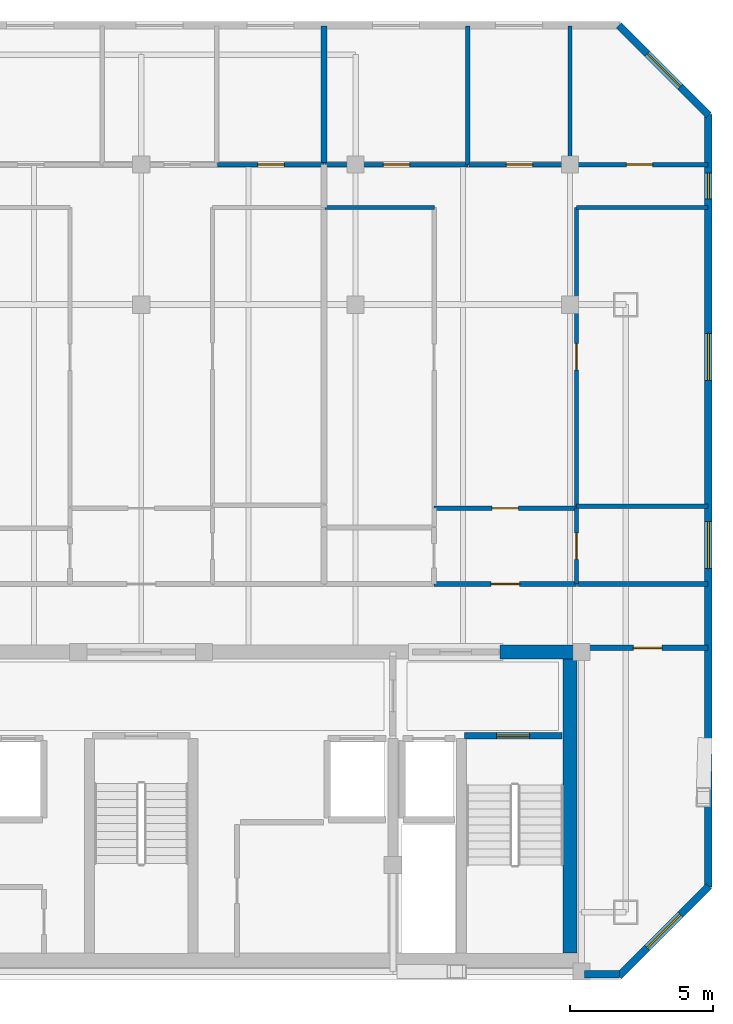
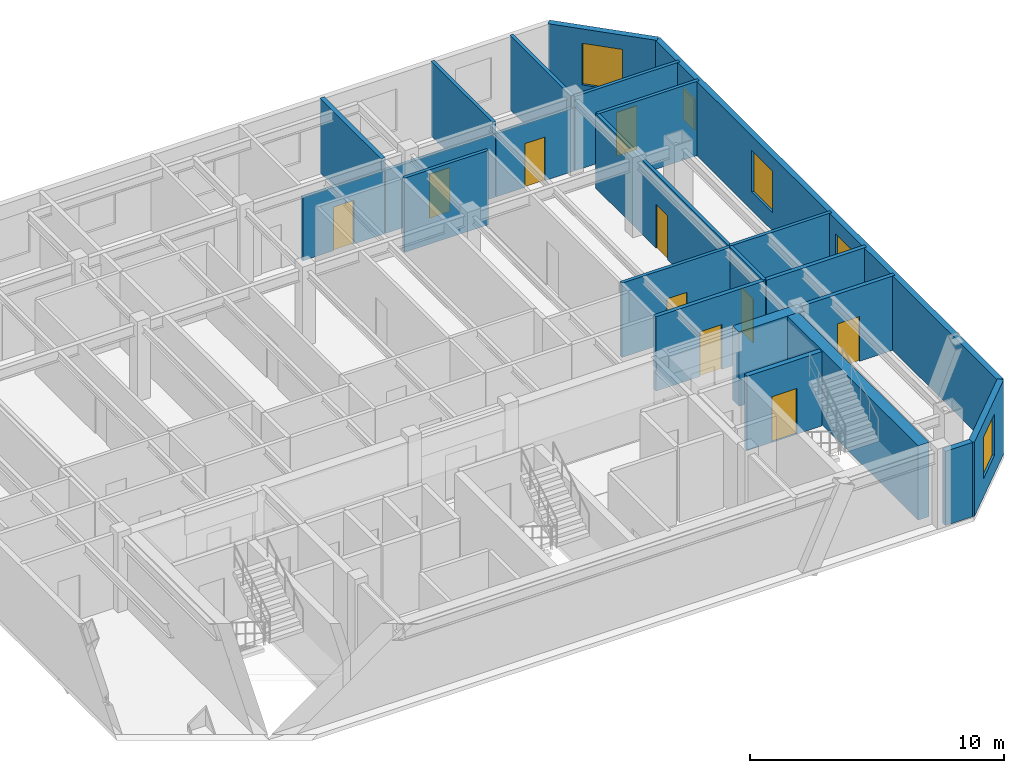
# One storey, part 5 of 7: 23 walls, 10 doors, 5 windows, 15 openings.
"""IFC4 building model written with IfcOpenShell, lengths in metres."""

from ifc_helpers import new_model, si_unit, direction, frame, frame_2d, origin, place, context, subcontext, project, spatial, rectangle, extrude, material, layer, layer_set, type_object, element, fill, save


model = new_model("IFC4")

# Units and contexts
model_context = context("Model", 3, precision=1e-05, world=origin(), true_north=direction((0.0, 1.0)))
body_context = subcontext(model_context, "Body", "Model", "MODEL_VIEW")
ifc_project = project(units=[si_unit("LENGTHUNIT", "METRE"), si_unit("AREAUNIT", "SQUARE_METRE"), si_unit("VOLUMEUNIT", "CUBIC_METRE"), si_unit("PLANEANGLEUNIT", "RADIAN"), si_unit("MASSUNIT", "GRAM", prefix="KILO")], contexts=[model_context])

# Site, building, storey
site_placement = place(None, origin())
site = spatial("IfcSite", under=ifc_project, at=site_placement, CompositionType="ELEMENT")
building_placement = place(site_placement, origin())
building = spatial("IfcBuilding", under=site, at=building_placement, Name="Ventersveld Concourse Tower", CompositionType="ELEMENT")
storey_placement = place(building_placement, frame((0.0, 0.0, 304.14990234375)))
storey = spatial("IfcBuildingStorey", under=building, at=storey_placement, Name="L75", CompositionType="ELEMENT", Elevation=304.14990234375)

# Walls
ifc_material_1 = material(Name="Concrete C50/60", Category="concrete")
ifc_layer_1 = layer(ifc_material_1, 0.5)
ifc_layer_set_1 = layer_set([ifc_layer_1], Name="Concrete C50/60")
wall_type_1 = type_object("IfcWallType", Name="WL-CORE-500", PredefinedType="SHEAR", material=ifc_layer_set_1)
wall_1_placement = place(storey_placement, frame((43.75, 0.919921875, 0.0), z_axis=(0.0, 0.0, 1.0), x_axis=(0.0, 1.0, 0.0)))
element("IfcWall", 1, at=wall_1_placement, inside=storey, type_object=wall_type_1, Name="L75 Rear Core East Shear Wall", PredefinedType="SHEAR", context=body_context, shape_type="SweptSolid", body=[
    extrude(rectangle(XDim=10.530029296875, YDim=0.5, at=frame_2d((5.26513671875, 0.0))), origin(), (0.0, 0.0, 1.0), 3.570068359375),
])
wall_2_placement = place(storey_placement, frame((41.300048828125, 11.449951171875, 0.0), z_axis=(0.0, 0.0, 1.0), x_axis=(1.0, 0.0, 0.0)))
element("IfcWall", 2, at=wall_2_placement, inside=storey, type_object=wall_type_1, Name="L75 Rear Core North Shear Wall NE", PredefinedType="SHEAR", context=body_context, shape_type="SweptSolid", body=[
    extrude(rectangle(XDim=2.949951171875, YDim=0.5, at=frame_2d((1.47509765625, 0.0))), origin(), (0.0, 0.0, 1.0), 3.570068359375),
])

# Wall, opening, door
ifc_material_2 = material(Name="Fire-rated autoclaved aerated masonry blockwork", Category="masonry")
ifc_layer_2 = layer(ifc_material_2, 0.179931640625)
ifc_layer_set_2 = layer_set([ifc_layer_2], Name="Fire-rated autoclaved aerated masonry blockwork")
wall_type_2 = type_object("IfcWallType", Name="WL-CORR-180", PredefinedType="PARTITIONING", material=ifc_layer_set_2)
wall_3_placement = place(storey_placement, frame((44.35498046875, 11.60009765625, 0.0), z_axis=(0.0, 0.0, 1.0), x_axis=(1.0, 0.0, 0.0)))
wall_3 = element("IfcWall", 3, at=wall_3_placement, inside=storey, type_object=wall_type_2, Name="L75 Interior Partition SP-L75-SE-OFF-SP-L75-COR", PredefinedType="PARTITIONING", context=body_context, shape_type="SweptSolid", body=[
    extrude(rectangle(XDim=4.2158203125, YDim=0.179931640625, at=frame_2d((2.10791015625, 0.0))), origin(), (0.0, 0.0, 1.0), 3.570068359375),
])
opening_1_placement = place(wall_3_placement, frame((1.60791015625, 0.0, 0.0)))
opening_1 = element("IfcOpeningElement", 4, at=opening_1_placement, cuts=wall_3, Name="Opening FD3", PredefinedType="OPENING", context=body_context, shape_type="SweptSolid", body=[
    extrude(rectangle(XDim=1.0, YDim=2.14990234375, at=frame_2d((0.5, 1.074951171875))), frame((0.0, 0.10009765625, 0.0), z_axis=(0.0, -1.0, 0.0), x_axis=(1.0, 0.0, 0.0)), (0.0, 0.0, 1.0), 0.199951171875),
])
ifc_material_3 = material(Name="Solid-core hardwood veneer timber", Category="wood")
door_type_1 = type_object("IfcDoorType", Name="DR-FLAT-100", OperationType="NOTDEFINED", PredefinedType="DOOR", material=ifc_material_3)
door_1_placement = place(opening_1_placement, origin())
door_1 = element("IfcDoor", 5, at=door_1_placement, inside=storey, type_object=door_type_1, Name="L75 Interior Door SP-L75-SE-OFF to SP-L75-COR (D-L75-3451)", OperationType="SINGLE_SWING_LEFT", OverallHeight=2.14990234375, OverallWidth=1.0, PredefinedType="DOOR", context=body_context, shape_type="SweptSolid", body=[
    extrude(rectangle(XDim=1.0, YDim=2.14990234375, at=frame_2d((0.5, 1.074951171875))), frame((0.0, 0.02490234375, 0.0), z_axis=(0.0, -1.0, 0.0), x_axis=(1.0, 0.0, 0.0)), (0.0, 0.0, 1.0), 0.050048828125),
])
fill(opening_1, door_1)

wall_4_placement = place(storey_placement, frame((38.989501953125, 13.830078125, 0.0), z_axis=(0.0, 0.0, 1.0), x_axis=(1.0, 0.0, 0.0)))
wall_4 = element("IfcWall", 6, at=wall_4_placement, inside=storey, type_object=wall_type_2, Name="L75 Interior Partition SP-L75-COR-SP-L75-75N3-FOY", PredefinedType="PARTITIONING", context=body_context, shape_type="SweptSolid", body=[
    extrude(rectangle(XDim=4.989990234375, YDim=0.179931640625, at=frame_2d((2.4951171875, 0.0))), origin(), (0.0, 0.0, 1.0), 3.570068359375),
])
opening_2_placement = place(wall_4_placement, frame((1.9951171875, 0.0, 0.0)))
opening_2 = element("IfcOpeningElement", 7, at=opening_2_placement, cuts=wall_4, Name="Opening FD3", PredefinedType="OPENING", context=body_context, shape_type="SweptSolid", body=[
    extrude(rectangle(XDim=1.0, YDim=2.14990234375, at=frame_2d((0.5, 1.074951171875))), frame((0.0, 0.10009765625, 0.0), z_axis=(0.0, -1.0, 0.0), x_axis=(1.0, 0.0, 0.0)), (0.0, 0.0, 1.0), 0.199951171875),
])
door_2_placement = place(opening_2_placement, origin())
door_2 = element("IfcDoor", 8, at=door_2_placement, inside=storey, type_object=door_type_1, Name="L75 Interior Door SP-L75-COR to SP-L75-75N3-FOY (FD-L75-3454)", OperationType="SINGLE_SWING_RIGHT", OverallHeight=2.14990234375, OverallWidth=1.0, PredefinedType="DOOR", context=body_context, shape_type="SweptSolid", body=[
    extrude(rectangle(XDim=1.0, YDim=2.14990234375, at=frame_2d((0.5, 1.074951171875))), frame((0.0, 0.02490234375, 0.0), z_axis=(0.0, -1.0, 0.0), x_axis=(1.0, 0.0, 0.0)), (0.0, 0.0, 1.0), 0.050048828125),
])
fill(opening_2, door_2)

# Walls
wall_5_placement = place(storey_placement, frame((44.009521484375, 13.830078125, 0.0), z_axis=(0.0, 0.0, 1.0), x_axis=(1.0, 0.0, 0.0)))
element("IfcWall", 9, at=wall_5_placement, inside=storey, type_object=wall_type_2, Name="L75 Interior Partition SP-L75-COR-SP-L75-75N3-KIT", PredefinedType="PARTITIONING", context=body_context, shape_type="SweptSolid", body=[
    extrude(rectangle(XDim=4.561279296875, YDim=0.179931640625, at=frame_2d((2.28076171875, 0.0))), origin(), (0.0, 0.0, 1.0), 3.570068359375),
])
ifc_layer_3 = layer(ifc_material_2, 0.199951171875)
ifc_layer_set_3 = layer_set([ifc_layer_3], Name="Fire-rated autoclaved aerated masonry blockwork")
wall_type_3 = type_object("IfcWallType", Name="WL-DEMISE-200", PredefinedType="PARTITIONING", material=ifc_layer_set_3)
wall_6_placement = place(storey_placement, frame((35.1435546875, 28.534912109375, 0.0), z_axis=(0.0, 0.0, 1.0), x_axis=(0.0, 1.0, 0.0)))
element("IfcWall", 10, at=wall_6_placement, inside=storey, type_object=wall_type_3, Name="L75 Interior Partition SP-L75-75N2-BR3-SP-L75-75N3-BR1", PredefinedType="PARTITIONING", context=body_context, shape_type="SweptSolid", body=[
    extrude(rectangle(XDim=4.814453125, YDim=0.199951171875, at=frame_2d((2.4072265625, 0.0))), origin(), (0.0, 0.0, 1.0), 3.570068359375),
])

# Wall, opening, door
ifc_layer_4 = layer(ifc_material_2, 0.219970703125)
ifc_layer_set_4 = layer_set([ifc_layer_4], Name="Fire-rated autoclaved aerated masonry blockwork")
wall_type_4 = type_object("IfcWallType", Name="WL-HOIST-220", PredefinedType="SOLIDWALL", material=ifc_layer_set_4)
wall_7_placement = place(storey_placement, frame((40.06005859375, 8.52001953125, 0.0), z_axis=(0.0, 0.0, 1.0), x_axis=(1.0, 0.0, 0.0)))
wall_7 = element("IfcWall", 11, at=wall_7_placement, inside=storey, type_object=wall_type_4, Name="L75 Escape Stair ST02 Fire Wall", PredefinedType="SOLIDWALL", context=body_context, shape_type="SweptSolid", body=[
    extrude(rectangle(XDim=3.39990234375, YDim=0.219970703125, at=frame_2d((1.699951171875, 0.0))), origin(), (0.0, 0.0, 1.0), 3.570068359375),
])
opening_3_placement = place(wall_7_placement, frame((1.125, 0.0, 0.0)))
opening_3 = element("IfcOpeningElement", 12, at=opening_3_placement, cuts=wall_7, Name="Opening FD1", PredefinedType="OPENING", context=body_context, shape_type="SweptSolid", body=[
    extrude(rectangle(XDim=1.14990234375, YDim=2.199951171875, at=frame_2d((0.574951171875, 1.10009765625))), frame((0.0, 0.1201171875, 0.0), z_axis=(0.0, -1.0, 0.0), x_axis=(1.0, 0.0, 0.0)), (0.0, 0.0, 1.0), 0.239990234375),
])
ifc_material_4 = material(Name="Galvanised painted steel", Category="steel")
door_type_2 = type_object("IfcDoorType", Name="DR-STAIR-115", OperationType="NOTDEFINED", PredefinedType="DOOR", material=ifc_material_4)
door_3_placement = place(opening_3_placement, origin())
door_3 = element("IfcDoor", 13, at=door_3_placement, inside=storey, type_object=door_type_2, Name="L75 Escape Stair Door ST02 (SD-L75-3441)", OperationType="SINGLE_SWING_RIGHT", OverallHeight=2.199951171875, OverallWidth=1.14990234375, PredefinedType="DOOR", context=body_context, shape_type="SweptSolid", body=[
    extrude(rectangle(XDim=1.14990234375, YDim=2.199951171875, at=frame_2d((0.574951171875, 1.10009765625))), frame((0.0, 0.02490234375, 0.0), z_axis=(0.0, -1.0, 0.0), x_axis=(1.0, 0.0, 0.0)), (0.0, 0.0, 1.0), 0.050048828125),
])
fill(opening_3, door_3)

ifc_material_5 = material(Name="Autoclaved aerated masonry blockwork", Category="masonry")
ifc_layer_5 = layer(ifc_material_5, 0.14990234375)
ifc_layer_set_5 = layer_set([ifc_layer_5], Name="Autoclaved aerated masonry blockwork")
wall_type_5 = type_object("IfcWallType", Name="WL-INT-150", PredefinedType="PARTITIONING", material=ifc_layer_set_5)
wall_8_placement = place(storey_placement, frame((31.426513671875, 28.5, 0.0), z_axis=(0.0, 0.0, 1.0), x_axis=(1.0, 0.0, 0.0)))
wall_8 = element("IfcWall", 14, at=wall_8_placement, inside=storey, type_object=wall_type_5, Name="L75 Interior Partition SP-L75-75N2-LIV-SP-L75-75N2-BR3", PredefinedType="PARTITIONING", context=body_context, shape_type="SweptSolid", body=[
    extrude(rectangle(XDim=3.721923828125, YDim=0.14990234375, at=frame_2d((1.86083984375, 0.0))), origin(), (0.0, 0.0, 1.0), 3.037109375),
])
opening_4_placement = place(wall_8_placement, frame((1.40087890625, 0.0, 0.0)))
opening_4 = element("IfcOpeningElement", 15, at=opening_4_placement, cuts=wall_8, Name="Opening ID1", PredefinedType="OPENING", context=body_context, shape_type="SweptSolid", body=[
    extrude(rectangle(XDim=0.919921875, YDim=2.10009765625, at=frame_2d((0.4599609375, 1.050048828125))), frame((0.0, 0.0849609375, 0.0), z_axis=(0.0, -1.0, 0.0), x_axis=(1.0, 0.0, 0.0)), (0.0, 0.0, 1.0), 0.169921875),
])
door_type_3 = type_object("IfcDoorType", Name="DR-ROOM-092", OperationType="NOTDEFINED", PredefinedType="DOOR", material=ifc_material_3)
door_4_placement = place(opening_4_placement, origin())
door_4 = element("IfcDoor", 16, at=door_4_placement, inside=storey, type_object=door_type_3, Name="L75 Interior Door SP-L75-75N2-LIV to SP-L75-75N2-BR3 (D-L75-3470)", OperationType="SINGLE_SWING_RIGHT", OverallHeight=2.10009765625, OverallWidth=0.919921875, PredefinedType="DOOR", context=body_context, shape_type="SweptSolid", body=[
    extrude(rectangle(XDim=0.919921875, YDim=2.10009765625, at=frame_2d((0.4599609375, 1.050048828125))), frame((0.0, 0.02490234375, 0.0), z_axis=(0.0, -1.0, 0.0), x_axis=(1.0, 0.0, 0.0)), (0.0, 0.0, 1.0), 0.050048828125),
])
fill(opening_4, door_4)

wall_9_placement = place(storey_placement, frame((38.989501953125, 16.480224609375, 0.0), z_axis=(0.0, 0.0, 1.0), x_axis=(1.0, 0.0, 0.0)))
wall_9 = element("IfcWall", 17, at=wall_9_placement, inside=storey, type_object=wall_type_5, Name="L75 Interior Partition SP-L75-75N3-FOY-SP-L75-75N3-LIV", PredefinedType="PARTITIONING", context=body_context, shape_type="SweptSolid", body=[
    extrude(rectangle(XDim=4.989990234375, YDim=0.14990234375, at=frame_2d((2.4951171875, 0.0))), origin(), (0.0, 0.0, 1.0), 3.570068359375),
])
opening_5_placement = place(wall_9_placement, frame((2.034912109375, 0.0, 0.0)))
opening_5 = element("IfcOpeningElement", 18, at=opening_5_placement, cuts=wall_9, Name="Opening ID1", PredefinedType="OPENING", context=body_context, shape_type="SweptSolid", body=[
    extrude(rectangle(XDim=0.919921875, YDim=2.10009765625, at=frame_2d((0.4599609375, 1.050048828125))), frame((0.0, 0.0849609375, 0.0), z_axis=(0.0, -1.0, 0.0), x_axis=(1.0, 0.0, 0.0)), (0.0, 0.0, 1.0), 0.169921875),
])
door_5_placement = place(opening_5_placement, origin())
door_5 = element("IfcDoor", 19, at=door_5_placement, inside=storey, type_object=door_type_3, Name="L75 Interior Door SP-L75-75N3-FOY to SP-L75-75N3-LIV (D-L75-3471)", OperationType="SINGLE_SWING_LEFT", OverallHeight=2.10009765625, OverallWidth=0.919921875, PredefinedType="DOOR", context=body_context, shape_type="SweptSolid", body=[
    extrude(rectangle(XDim=0.919921875, YDim=2.10009765625, at=frame_2d((0.4599609375, 1.050048828125))), frame((0.0, 0.02490234375, 0.0), z_axis=(0.0, -1.0, 0.0), x_axis=(1.0, 0.0, 0.0)), (0.0, 0.0, 1.0), 0.050048828125),
])
fill(opening_5, door_5)

wall_10_placement = place(storey_placement, frame((43.974609375, 13.824951171875, 0.0), z_axis=(0.0, 0.0, 1.0), x_axis=(0.0, 1.0, 0.0)))
wall_10 = element("IfcWall", 20, at=wall_10_placement, inside=storey, type_object=wall_type_5, Name="L75 Interior Partition SP-L75-75N3-FOY-SP-L75-75N3-KIT", PredefinedType="PARTITIONING", context=body_context, shape_type="SweptSolid", body=[
    extrude(rectangle(XDim=2.66015625, YDim=0.14990234375, at=frame_2d((1.330078125, 0.0))), origin(), (0.0, 0.0, 1.0), 3.570068359375),
])
opening_6_placement = place(wall_10_placement, frame((0.8701171875, 0.0, 0.0)))
opening_6 = element("IfcOpeningElement", 21, at=opening_6_placement, cuts=wall_10, Name="Opening ID1", PredefinedType="OPENING", context=body_context, shape_type="SweptSolid", body=[
    extrude(rectangle(XDim=0.919921875, YDim=2.10009765625, at=frame_2d((0.4599609375, 1.050048828125))), frame((0.0, 0.0849609375, 0.0), z_axis=(0.0, -1.0, 0.0), x_axis=(1.0, 0.0, 0.0)), (0.0, 0.0, 1.0), 0.169921875),
])
door_6_placement = place(opening_6_placement, origin())
door_6 = element("IfcDoor", 22, at=door_6_placement, inside=storey, type_object=door_type_3, Name="L75 Interior Door SP-L75-75N3-FOY to SP-L75-75N3-KIT (D-L75-3473)", OperationType="SINGLE_SWING_LEFT", OverallHeight=2.10009765625, OverallWidth=0.919921875, PredefinedType="DOOR", context=body_context, shape_type="SweptSolid", body=[
    extrude(rectangle(XDim=0.919921875, YDim=2.10009765625, at=frame_2d((0.4599609375, 1.050048828125))), frame((0.0, 0.02490234375, 0.0), z_axis=(0.0, -1.0, 0.0), x_axis=(1.0, 0.0, 0.0)), (0.0, 0.0, 1.0), 0.050048828125),
])
fill(opening_6, door_6)

# Wall
wall_11_placement = place(storey_placement, frame((35.178466796875, 27.0, 0.0), z_axis=(0.0, 0.0, 1.0), x_axis=(1.0, 0.0, 0.0)))
element("IfcWall", 23, at=wall_11_placement, inside=storey, type_object=wall_type_5, Name="L75 Interior Partition SP-L75-75N3-LIV-SP-L75-75N3-OFFL0", PredefinedType="PARTITIONING", context=body_context, shape_type="SweptSolid", body=[
    extrude(rectangle(XDim=3.821044921875, YDim=0.14990234375, at=frame_2d((1.91064453125, 0.0))), origin(), (0.0, 0.0, 1.0), 3.570068359375),
])

# Wall, opening, door
wall_12_placement = place(storey_placement, frame((43.974609375, 16.547607421875, 0.0), z_axis=(0.0, 0.0, 1.0), x_axis=(0.0, 1.0, 0.0)))
wall_12 = element("IfcWall", 24, at=wall_12_placement, inside=storey, type_object=wall_type_5, Name="L75 Interior Partition SP-L75-75N3-LIV-SP-L75-75N3-DENR", PredefinedType="PARTITIONING", context=body_context, shape_type="SweptSolid", body=[
    extrude(rectangle(XDim=10.457275390625, YDim=0.14990234375, at=frame_2d((5.228515625, 0.0))), origin(), (0.0, 0.0, 1.0), 3.570068359375),
])
opening_7_placement = place(wall_12_placement, frame((4.768798828125, 0.0, 0.0)))
opening_7 = element("IfcOpeningElement", 25, at=opening_7_placement, cuts=wall_12, Name="Opening ID1", PredefinedType="OPENING", context=body_context, shape_type="SweptSolid", body=[
    extrude(rectangle(XDim=0.919921875, YDim=2.10009765625, at=frame_2d((0.4599609375, 1.050048828125))), frame((0.0, 0.0849609375, 0.0), z_axis=(0.0, -1.0, 0.0), x_axis=(1.0, 0.0, 0.0)), (0.0, 0.0, 1.0), 0.169921875),
])
door_7_placement = place(opening_7_placement, origin())
door_7 = element("IfcDoor", 26, at=door_7_placement, inside=storey, type_object=door_type_3, Name="L75 Interior Door SP-L75-75N3-LIV to SP-L75-75N3-DENR (D-L75-3475)", OperationType="SINGLE_SWING_LEFT", OverallHeight=2.10009765625, OverallWidth=0.919921875, PredefinedType="DOOR", context=body_context, shape_type="SweptSolid", body=[
    extrude(rectangle(XDim=0.919921875, YDim=2.10009765625, at=frame_2d((0.4599609375, 1.050048828125))), frame((0.0, 0.02490234375, 0.0), z_axis=(0.0, -1.0, 0.0), x_axis=(1.0, 0.0, 0.0)), (0.0, 0.0, 1.0), 0.050048828125),
])
fill(opening_7, door_7)

# Wall
wall_13_placement = place(storey_placement, frame((43.969482421875, 27.0, 0.0), z_axis=(0.0, 0.0, 1.0), x_axis=(1.0, 0.0, 0.0)))
element("IfcWall", 27, at=wall_13_placement, inside=storey, type_object=wall_type_5, Name="L75 Interior Partition SP-L75-75N3-LIV-SP-L75-75N3-DENR", PredefinedType="PARTITIONING", context=body_context, shape_type="SweptSolid", body=[
    extrude(rectangle(XDim=4.601318359375, YDim=0.14990234375, at=frame_2d((2.30078125, 0.0))), origin(), (0.0, 0.0, 1.0), 3.570068359375),
])

# Wall, opening, door
wall_14_placement = place(storey_placement, frame((35.178466796875, 28.5, 0.0), z_axis=(0.0, 0.0, 1.0), x_axis=(1.0, 0.0, 0.0)))
wall_14 = element("IfcWall", 28, at=wall_14_placement, inside=storey, type_object=wall_type_5, Name="L75 Interior Partition SP-L75-75N3-LIV-SP-L75-75N3-BR1", PredefinedType="PARTITIONING", context=body_context, shape_type="SweptSolid", body=[
    extrude(rectangle(XDim=4.997802734375, YDim=0.14990234375, at=frame_2d((2.4990234375, 0.0))), origin(), (0.0, 0.0, 1.0), 3.037109375),
])
opening_8_placement = place(wall_14_placement, frame((2.038818359375, 0.0, 0.0)))
opening_8 = element("IfcOpeningElement", 29, at=opening_8_placement, cuts=wall_14, Name="Opening ID1", PredefinedType="OPENING", context=body_context, shape_type="SweptSolid", body=[
    extrude(rectangle(XDim=0.919921875, YDim=2.10009765625, at=frame_2d((0.4599609375, 1.050048828125))), frame((0.0, 0.0849609375, 0.0), z_axis=(0.0, -1.0, 0.0), x_axis=(1.0, 0.0, 0.0)), (0.0, 0.0, 1.0), 0.169921875),
])
door_8_placement = place(opening_8_placement, origin())
door_8 = element("IfcDoor", 30, at=door_8_placement, inside=storey, type_object=door_type_3, Name="L75 Interior Door SP-L75-75N3-LIV to SP-L75-75N3-BR1 (D-L75-3476)", OperationType="SINGLE_SWING_RIGHT", OverallHeight=2.10009765625, OverallWidth=0.919921875, PredefinedType="DOOR", context=body_context, shape_type="SweptSolid", body=[
    extrude(rectangle(XDim=0.919921875, YDim=2.10009765625, at=frame_2d((0.4599609375, 1.050048828125))), frame((0.0, 0.02490234375, 0.0), z_axis=(0.0, -1.0, 0.0), x_axis=(1.0, 0.0, 0.0)), (0.0, 0.0, 1.0), 0.050048828125),
])
fill(opening_8, door_8)

wall_15_placement = place(storey_placement, frame((40.206298828125, 28.5, 0.0), z_axis=(0.0, 0.0, 1.0), x_axis=(1.0, 0.0, 0.0)))
wall_15 = element("IfcWall", 31, at=wall_15_placement, inside=storey, type_object=wall_type_5, Name="L75 Interior Partition SP-L75-75N3-LIV-SP-L75-75N3-BR2", PredefinedType="PARTITIONING", context=body_context, shape_type="SweptSolid", body=[
    extrude(rectangle(XDim=3.548583984375, YDim=0.14990234375, at=frame_2d((1.7744140625, 0.0))), origin(), (0.0, 0.0, 1.0), 3.037109375),
])
opening_9_placement = place(wall_15_placement, frame((1.314453125, 0.0, 0.0)))
opening_9 = element("IfcOpeningElement", 32, at=opening_9_placement, cuts=wall_15, Name="Opening ID1", PredefinedType="OPENING", context=body_context, shape_type="SweptSolid", body=[
    extrude(rectangle(XDim=0.919921875, YDim=2.10009765625, at=frame_2d((0.4599609375, 1.050048828125))), frame((0.0, 0.0849609375, 0.0), z_axis=(0.0, -1.0, 0.0), x_axis=(1.0, 0.0, 0.0)), (0.0, 0.0, 1.0), 0.169921875),
])
door_9_placement = place(opening_9_placement, origin())
door_9 = element("IfcDoor", 33, at=door_9_placement, inside=storey, type_object=door_type_3, Name="L75 Interior Door SP-L75-75N3-LIV to SP-L75-75N3-BR2 (D-L75-3477)", OperationType="SINGLE_SWING_LEFT", OverallHeight=2.10009765625, OverallWidth=0.919921875, PredefinedType="DOOR", context=body_context, shape_type="SweptSolid", body=[
    extrude(rectangle(XDim=0.919921875, YDim=2.10009765625, at=frame_2d((0.4599609375, 1.050048828125))), frame((0.0, 0.02490234375, 0.0), z_axis=(0.0, -1.0, 0.0), x_axis=(1.0, 0.0, 0.0)), (0.0, 0.0, 1.0), 0.050048828125),
])
fill(opening_9, door_9)

wall_16_placement = place(storey_placement, frame((43.784912109375, 28.5, 0.0), z_axis=(0.0, 0.0, 1.0), x_axis=(1.0, 0.0, 0.0)))
wall_16 = element("IfcWall", 34, at=wall_16_placement, inside=storey, type_object=wall_type_5, Name="L75 Interior Partition SP-L75-75N3-LIV-SP-L75-75N3-BR3", PredefinedType="PARTITIONING", context=body_context, shape_type="SweptSolid", body=[
    extrude(rectangle(XDim=4.785888671875, YDim=0.14990234375, at=frame_2d((2.39306640625, 0.0))), origin(), (0.0, 0.0, 1.0), 3.570068359375),
])
opening_10_placement = place(wall_16_placement, frame((1.932861328125, 0.0, 0.0)))
opening_10 = element("IfcOpeningElement", 35, at=opening_10_placement, cuts=wall_16, Name="Opening ID1", PredefinedType="OPENING", context=body_context, shape_type="SweptSolid", body=[
    extrude(rectangle(XDim=0.919921875, YDim=2.10009765625, at=frame_2d((0.4599609375, 1.050048828125))), frame((0.0, 0.0849609375, 0.0), z_axis=(0.0, -1.0, 0.0), x_axis=(1.0, 0.0, 0.0)), (0.0, 0.0, 1.0), 0.169921875),
])
door_10_placement = place(opening_10_placement, origin())
door_10 = element("IfcDoor", 36, at=door_10_placement, inside=storey, type_object=door_type_3, Name="L75 Interior Door SP-L75-75N3-LIV to SP-L75-75N3-BR3 (D-L75-3478)", OperationType="SINGLE_SWING_RIGHT", OverallHeight=2.10009765625, OverallWidth=0.919921875, PredefinedType="DOOR", context=body_context, shape_type="SweptSolid", body=[
    extrude(rectangle(XDim=0.919921875, YDim=2.10009765625, at=frame_2d((0.4599609375, 1.050048828125))), frame((0.0, 0.02490234375, 0.0), z_axis=(0.0, -1.0, 0.0), x_axis=(1.0, 0.0, 0.0)), (0.0, 0.0, 1.0), 0.050048828125),
])
fill(opening_10, door_10)

# Walls
wall_17_placement = place(storey_placement, frame((43.969482421875, 16.552490234375, 0.0), z_axis=(0.0, 0.0, 1.0), x_axis=(1.0, 0.0, 0.0)))
element("IfcWall", 37, at=wall_17_placement, inside=storey, type_object=wall_type_5, Name="L75 Interior Partition SP-L75-75N3-KIT-SP-L75-75N3-DENR", PredefinedType="PARTITIONING", context=body_context, shape_type="SweptSolid", body=[
    extrude(rectangle(XDim=4.601318359375, YDim=0.14990234375, at=frame_2d((2.30078125, 0.0))), origin(), (0.0, 0.0, 1.0), 3.570068359375),
])
for number, where, z_axis, x_axis, name in (
    (38, (40.171142578125, 28.4951171875, 0.0), (0.0, 0.0, 1.0), (0.0, 1.0, 0.0), "L75 Interior Partition SP-L75-75N3-BR1-SP-L75-75N3-BR2"),
    (39, (43.75, 28.4951171875, 0.0), (0.0, 0.0, 1.0), (0.0, 1.0, 0.0), "L75 Interior Partition SP-L75-75N3-BR2-SP-L75-75N3-BR3"),
):
    element("IfcWall", number, at=place(storey_placement, frame(where, z_axis=z_axis, x_axis=x_axis)), inside=storey, type_object=wall_type_5, Name=name, PredefinedType="PARTITIONING", context=body_context, shape_type="SweptSolid", body=[
        extrude(rectangle(XDim=4.854248046875, YDim=0.14990234375, at=frame_2d((2.42724609375, 0.0))), origin(), (0.0, 0.0, 1.0), 3.570068359375),
    ])
ifc_material_6 = material(Name="Precast concrete C45/55", Category="concrete")
ifc_layer_6 = layer(ifc_material_6, 0.260009765625)
ifc_layer_set_6 = layer_set([ifc_layer_6], Name="Precast concrete C45/55")
wall_type_6 = type_object("IfcWallType", Name="WL-PREC-260", PredefinedType="SOLIDWALL", material=ifc_layer_set_6)
wall_18_placement = place(storey_placement, frame((44.25, 0.179931640625, 0.0), z_axis=(0.0, 0.0, 1.0), x_axis=(1.0, 0.0, 0.0)))
element("IfcWall", 40, at=wall_18_placement, inside=storey, type_object=wall_type_6, Name="L75 South-East Flank Precast Wall", PredefinedType="SOLIDWALL", context=body_context, shape_type="SweptSolid", body=[
    extrude(rectangle(XDim=1.230224609375, YDim=0.260009765625, at=frame_2d((0.615234375, 0.0))), origin(), (0.0, 0.0, 1.0), 3.570068359375),
])

# Wall, opening, window
wall_19_placement = place(storey_placement, frame((45.456787109375, 0.1201171875, 0.0), z_axis=(0.0, 0.0, 1.0), x_axis=(0.707079321262, 0.707134240044, 0.0)))
wall_19 = element("IfcWall", 41, at=wall_19_placement, inside=storey, type_object=wall_type_6, Name="L75 Highveld Precast Facade Wall E02", PredefinedType="SOLIDWALL", context=body_context, shape_type="SweptSolid", body=[
    extrude(rectangle(XDim=4.445556640625, YDim=0.260009765625, at=frame_2d((2.22265625, 0.0))), origin(), (0.0, 0.0, 1.0), 3.570068359375),
])
opening_11_placement = place(wall_19_placement, frame((1.397705078125, 0.0, 0.8798828125)))
opening_11 = element("IfcOpeningElement", 42, at=opening_11_placement, cuts=wall_19, Name="Opening W6", PredefinedType="OPENING", context=body_context, shape_type="SweptSolid", body=[
    extrude(rectangle(XDim=1.64990234375, YDim=2.0, at=frame_2d((0.824951171875, 1.0))), frame((0.0, 0.14013671875, 0.0), z_axis=(0.0, -1.0, 0.0), x_axis=(1.0, 0.0, 0.0)), (0.0, 0.0, 1.0), 0.280029296875),
])
ifc_material_7 = material(Name="Tempered acoustic Low-E IGU", Category="glass")
window_type_1 = type_object("IfcWindowType", Name="WIN-165x200", PartitioningType="SINGLE_PANEL", PredefinedType="WINDOW", material=ifc_material_7)
window_1_placement = place(opening_11_placement, origin())
window_1 = element("IfcWindow", 43, at=window_1_placement, inside=storey, type_object=window_type_1, Name="L75 Punched Low-E Window W-1063", OverallHeight=2.0, OverallWidth=1.64990234375, PartitioningType="SINGLE_PANEL", PredefinedType="WINDOW", context=body_context, shape_type="SweptSolid", body=[
    extrude(rectangle(XDim=1.64990234375, YDim=2.0, at=frame_2d((0.824951171875, 1.0))), frame((0.0, 0.030029296875, 0.0), z_axis=(0.0, -1.0, 0.0), x_axis=(1.0, 0.0, 0.0)), (0.0, 0.0, 1.0), 0.06005859375),
])
fill(opening_11, window_1)

# Wall, openings, windows
wall_20_placement = place(storey_placement, frame((48.59033203125, 3.239990234375, 0.0), z_axis=(0.0, 0.0, 1.0), x_axis=(0.0, 1.0, 0.0)))
wall_20 = element("IfcWall", 44, at=wall_20_placement, inside=storey, type_object=wall_type_6, Name="L75 Highveld Precast Facade Wall E03", PredefinedType="SOLIDWALL", context=body_context, shape_type="SweptSolid", body=[
    extrude(rectangle(XDim=27.018798828125, YDim=0.260009765625, at=frame_2d((13.50927734375, 0.0))), origin(), (0.0, 0.0, 1.0), 3.570068359375),
])
opening_12_placement = place(wall_20_placement, frame((24.06005859375, 0.0, 0.949951171875)))
opening_12 = element("IfcOpeningElement", 45, at=opening_12_placement, cuts=wall_20, Name="Opening W4", PredefinedType="OPENING", context=body_context, shape_type="SweptSolid", body=[
    extrude(rectangle(XDim=0.89990234375, YDim=1.5, at=frame_2d((0.449951171875, 0.75))), frame((0.0, 0.14013671875, 0.0), z_axis=(0.0, -1.0, 0.0), x_axis=(1.0, 0.0, 0.0)), (0.0, 0.0, 1.0), 0.280029296875),
])
opening_13_placement = place(wall_20_placement, frame((11.126220703125, 0.0, 0.8798828125)))
opening_13 = element("IfcOpeningElement", 46, at=opening_13_placement, cuts=wall_20, Name="Opening W6", PredefinedType="OPENING", context=body_context, shape_type="SweptSolid", body=[
    extrude(rectangle(XDim=1.64990234375, YDim=2.0, at=frame_2d((0.824951171875, 1.0))), frame((0.0, 0.14013671875, 0.0), z_axis=(0.0, -1.0, 0.0), x_axis=(1.0, 0.0, 0.0)), (0.0, 0.0, 1.0), 0.280029296875),
])
opening_14_placement = place(wall_20_placement, frame((17.711181640625, 0.0, 0.8798828125)))
opening_14 = element("IfcOpeningElement", 47, at=opening_14_placement, cuts=wall_20, Name="Opening W6", PredefinedType="OPENING", context=body_context, shape_type="SweptSolid", body=[
    extrude(rectangle(XDim=1.64990234375, YDim=2.0, at=frame_2d((0.824951171875, 1.0))), frame((0.0, 0.14013671875, 0.0), z_axis=(0.0, -1.0, 0.0), x_axis=(1.0, 0.0, 0.0)), (0.0, 0.0, 1.0), 0.280029296875),
])
window_type_2 = type_object("IfcWindowType", Name="WIN-090x150", PartitioningType="SINGLE_PANEL", PredefinedType="WINDOW", material=ifc_material_7)
window_2_placement = place(opening_12_placement, origin())
window_2 = element("IfcWindow", 48, at=window_2_placement, inside=storey, type_object=window_type_2, Name="L75 Punched Low-E Window W-1072", OverallHeight=1.5, OverallWidth=0.89990234375, PartitioningType="SINGLE_PANEL", PredefinedType="WINDOW", context=body_context, shape_type="SweptSolid", body=[
    extrude(rectangle(XDim=0.89990234375, YDim=1.5, at=frame_2d((0.449951171875, 0.75))), frame((0.0, 0.030029296875, 0.0), z_axis=(0.0, -1.0, 0.0), x_axis=(1.0, 0.0, 0.0)), (0.0, 0.0, 1.0), 0.06005859375),
])
fill(opening_12, window_2)
window_3_placement = place(opening_13_placement, origin())
window_3 = element("IfcWindow", 49, at=window_3_placement, inside=storey, type_object=window_type_1, Name="L75 Punched Low-E Window W-1073", OverallHeight=2.0, OverallWidth=1.64990234375, PartitioningType="SINGLE_PANEL", PredefinedType="WINDOW", context=body_context, shape_type="SweptSolid", body=[
    extrude(rectangle(XDim=1.64990234375, YDim=2.0, at=frame_2d((0.824951171875, 1.0))), frame((0.0, 0.030029296875, 0.0), z_axis=(0.0, -1.0, 0.0), x_axis=(1.0, 0.0, 0.0)), (0.0, 0.0, 1.0), 0.06005859375),
])
fill(opening_13, window_3)
window_4_placement = place(opening_14_placement, origin())
window_4 = element("IfcWindow", 50, at=window_4_placement, inside=storey, type_object=window_type_1, Name="L75 Punched Low-E Window W-1074", OverallHeight=2.0, OverallWidth=1.64990234375, PartitioningType="SINGLE_PANEL", PredefinedType="WINDOW", context=body_context, shape_type="SweptSolid", body=[
    extrude(rectangle(XDim=1.64990234375, YDim=2.0, at=frame_2d((0.824951171875, 1.0))), frame((0.0, 0.030029296875, 0.0), z_axis=(0.0, -1.0, 0.0), x_axis=(1.0, 0.0, 0.0)), (0.0, 0.0, 1.0), 0.06005859375),
])
fill(opening_14, window_4)

# Wall, opening, window
wall_21_placement = place(storey_placement, frame((48.60009765625, 30.235107421875, 0.0), z_axis=(0.0, 0.0, 1.0), x_axis=(-0.707079321262, 0.707134240044, 0.0)))
wall_21 = element("IfcWall", 51, at=wall_21_placement, inside=storey, type_object=wall_type_6, Name="L75 Highveld Precast Facade Wall E04", PredefinedType="SOLIDWALL", context=body_context, shape_type="SweptSolid", body=[
    extrude(rectangle(XDim=4.445556640625, YDim=0.260009765625, at=frame_2d((2.22265625, 0.0))), origin(), (0.0, 0.0, 1.0), 3.570068359375),
])
opening_15_placement = place(wall_21_placement, frame((1.397705078125, 0.0, 0.8798828125)))
opening_15 = element("IfcOpeningElement", 52, at=opening_15_placement, cuts=wall_21, Name="Opening W6", PredefinedType="OPENING", context=body_context, shape_type="SweptSolid", body=[
    extrude(rectangle(XDim=1.64990234375, YDim=2.0, at=frame_2d((0.824951171875, 1.0))), frame((0.0, 0.14013671875, 0.0), z_axis=(0.0, -1.0, 0.0), x_axis=(1.0, 0.0, 0.0)), (0.0, 0.0, 1.0), 0.280029296875),
])
window_5_placement = place(opening_15_placement, origin())
window_5 = element("IfcWindow", 53, at=window_5_placement, inside=storey, type_object=window_type_1, Name="L75 Punched Low-E Window W-1077", OverallHeight=2.0, OverallWidth=1.64990234375, PartitioningType="SINGLE_PANEL", PredefinedType="WINDOW", context=body_context, shape_type="SweptSolid", body=[
    extrude(rectangle(XDim=1.64990234375, YDim=2.0, at=frame_2d((0.824951171875, 1.0))), frame((0.0, 0.030029296875, 0.0), z_axis=(0.0, -1.0, 0.0), x_axis=(1.0, 0.0, 0.0)), (0.0, 0.0, 1.0), 0.06005859375),
])
fill(opening_15, window_5)

save(model, "model.ifc")
